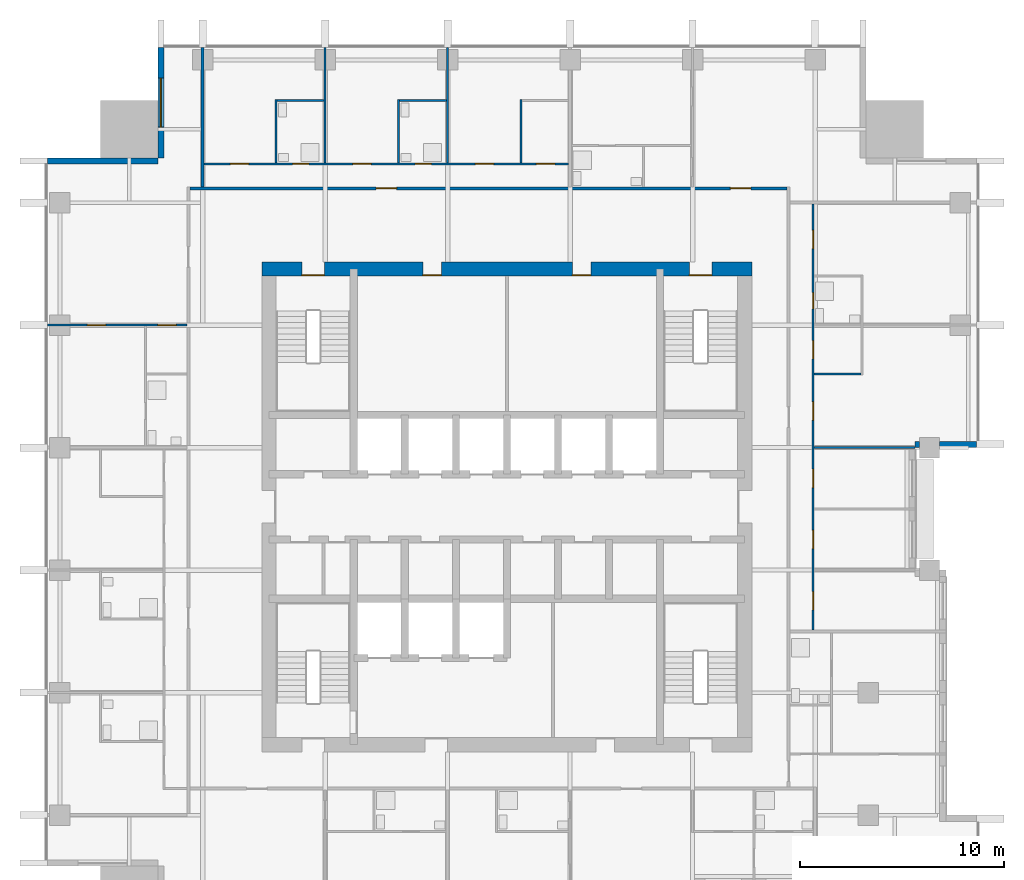
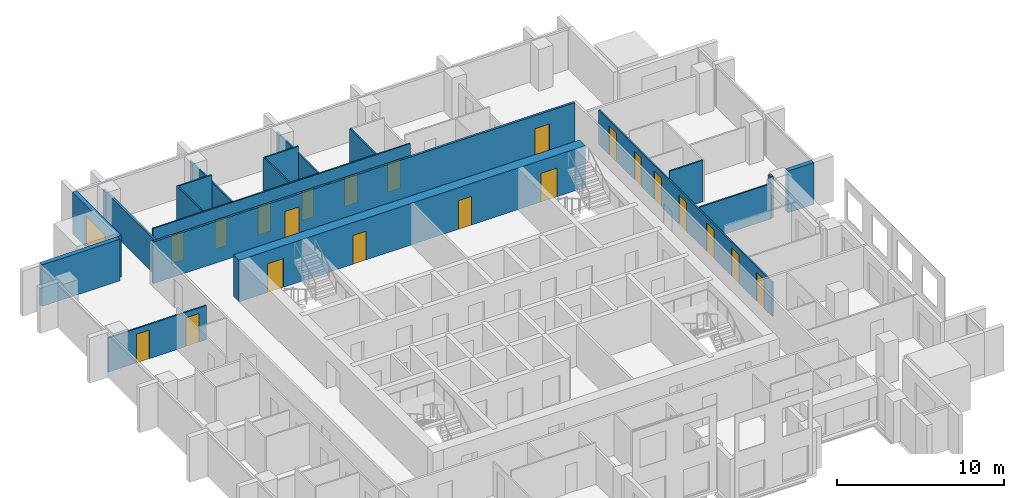
# One storey, part 7 of 11: 21 doors, 19 walls, 1 window, 22 openings.
"""IFC4 building model written with IfcOpenShell, lengths in metres."""

from ifc_helpers import new_model, si_unit, direction, frame, frame_2d, origin, place, context, subcontext, project, spatial, rectangle, extrude, material, layer, layer_set, type_object, element, fill, save


model = new_model("IFC4")

# Units and contexts
model_context = context("Model", 3, precision=1e-05, world=origin(), true_north=direction((0.0, 1.0)))
body_context = subcontext(model_context, "Body", "Model", "MODEL_VIEW")
ifc_project = project(units=[si_unit("LENGTHUNIT", "METRE"), si_unit("AREAUNIT", "SQUARE_METRE"), si_unit("VOLUMEUNIT", "CUBIC_METRE"), si_unit("PLANEANGLEUNIT", "RADIAN"), si_unit("MASSUNIT", "GRAM", prefix="KILO")], contexts=[model_context])

# Site, building, storey
site_placement = place(None, origin())
site = spatial("IfcSite", under=ifc_project, at=site_placement, CompositionType="ELEMENT")
building_placement = place(site_placement, origin())
building = spatial("IfcBuilding", under=site, at=building_placement, Name="Amberfall Residences", CompositionType="ELEMENT")
storey_placement = place(building_placement, frame((0.0, 0.0, 171.39990234375)))
storey = spatial("IfcBuildingStorey", under=building, at=storey_placement, Name="L46", CompositionType="ELEMENT", Elevation=171.39990234375)

# Walls
ifc_material_1 = material(Name="Pale stone cladding on insulated backing", Category="masonry")
ifc_layer_1 = layer(ifc_material_1, 0.300048828125)
ifc_layer_set_1 = layer_set([ifc_layer_1], Name="Bronze clad wall 300")
wall_type_1 = type_object("IfcWallType", Name="Bronze clad wall 300", PredefinedType="SOLIDWALL", material=ifc_layer_set_1)
wall_1_placement = place(storey_placement, frame((94.5, 48.550048828125, 0.0), z_axis=(0.0, 0.0, 1.0), x_axis=(1.0, 0.0, 0.0)))
element("IfcWall", 1, at=wall_1_placement, inside=storey, type_object=wall_type_1, Name="External wall L46 E", PredefinedType="SOLIDWALL", context=body_context, shape_type="SweptSolid", body=[
    extrude(rectangle(XDim=0.199951171875, YDim=0.300048828125, at=frame_2d((0.10009765625, 0.0))), origin(), (0.0, 0.0, 1.0), 3.050048828125),
])
wall_2_placement = place(storey_placement, frame((95.699951171875, 48.550048828125, 0.0), z_axis=(0.0, 0.0, 1.0), x_axis=(1.0, 0.0, 0.0)))
element("IfcWall", 2, at=wall_2_placement, inside=storey, type_object=wall_type_1, Name="External wall L46 E", PredefinedType="SOLIDWALL", context=body_context, shape_type="SweptSolid", body=[
    extrude(rectangle(XDim=1.800048828125, YDim=0.300048828125, at=frame_2d((0.89990234375, 0.0))), origin(), (0.0, 0.0, 1.0), 3.050048828125),
])

# Wall, opening, window
wall_3_placement = place(storey_placement, frame((57.550048828125, 68.0, 0.0), z_axis=(0.0, 0.0, 1.0), x_axis=(0.0, -1.0, 0.0)))
wall_3 = element("IfcWall", 3, at=wall_3_placement, inside=storey, type_object=wall_type_1, Name="External wall L46 NW", PredefinedType="SOLIDWALL", context=body_context, shape_type="SweptSolid", body=[
    extrude(rectangle(XDim=5.39990234375, YDim=0.300048828125, at=frame_2d((2.699951171875, 0.0))), origin(), (0.0, 0.0, 1.0), 3.050048828125),
])
opening_1_placement = place(wall_3_placement, frame((1.5, 0.0, 0.14990234375)))
opening_1 = element("IfcOpeningElement", 4, at=opening_1_placement, cuts=wall_3, Name="Opening WN5", PredefinedType="OPENING", context=body_context, shape_type="SweptSolid", body=[
    extrude(rectangle(XDim=2.39990234375, YDim=2.10009765625, at=frame_2d((1.199951171875, 1.050048828125))), frame((0.0, 0.159912109375, 0.0), z_axis=(0.0, -1.0, 0.0), x_axis=(1.0, 0.0, 0.0)), (0.0, 0.0, 1.0), 0.320068359375),
])
ifc_material_2 = material(Name="Bronze aluminium framed glazing", Category="aluminium")
window_type = type_object("IfcWindowType", Name="Glazed opening 2400 x 2100 bronze", PartitioningType="DOUBLE_PANEL_VERTICAL", PredefinedType="WINDOW", material=ifc_material_2)
window_placement = place(opening_1_placement, origin())
window = element("IfcWindow", 5, at=window_placement, inside=storey, type_object=window_type, Name="Window L46 NW", OverallHeight=2.10009765625, OverallWidth=2.39990234375, PartitioningType="DOUBLE_PANEL_VERTICAL", PredefinedType="WINDOW", context=body_context, shape_type="SweptSolid", body=[
    extrude(rectangle(XDim=2.39990234375, YDim=2.10009765625, at=frame_2d((1.199951171875, 1.050048828125))), frame((0.0, 0.030029296875, 0.0), z_axis=(0.0, -1.0, 0.0), x_axis=(1.0, 0.0, 0.0)), (0.0, 0.0, 1.0), 0.06005859375),
])
fill(opening_1, window)

# Wall
wall_4_placement = place(storey_placement, frame((57.39990234375, 62.449951171875, 0.0), z_axis=(0.0, 0.0, 1.0), x_axis=(-1.0, 0.0, 0.0)))
element("IfcWall", 6, at=wall_4_placement, inside=storey, type_object=wall_type_1, Name="External wall L46 NW", PredefinedType="SOLIDWALL", context=body_context, shape_type="SweptSolid", body=[
    extrude(rectangle(XDim=5.39990234375, YDim=0.300048828125, at=frame_2d((2.699951171875, 0.0))), origin(), (0.0, 0.0, 1.0), 3.050048828125),
])

# Wall, openings, doors
ifc_material_3 = material(Name="Concrete C60", Category="concrete")
ifc_layer_2 = layer(ifc_material_3, 0.699951171875)
ifc_layer_set_2 = layer_set([ifc_layer_2], Name="Core wall 700 C60")
wall_type_2 = type_object("IfcWallType", Name="Core wall 700 C60", PredefinedType="SHEAR", material=ifc_layer_set_2)
wall_5_placement = place(storey_placement, frame((62.5, 57.14990234375, 0.0), z_axis=(0.0, 0.0, 1.0), x_axis=(1.0, 0.0, 0.0)))
wall_5 = element("IfcWall", 7, at=wall_5_placement, inside=storey, type_object=wall_type_2, Name="Core wall RW5 L46 ON", PredefinedType="SHEAR", context=body_context, shape_type="SweptSolid", body=[
    extrude(rectangle(XDim=24.0, YDim=0.699951171875, at=frame_2d((12.0, 0.0))), origin(), (0.0, 0.0, 1.0), 3.050048828125),
])
opening_2_placement = place(wall_5_placement, frame((20.9375, 0.0, 0.0)))
opening_2 = element("IfcOpeningElement", 8, at=opening_2_placement, cuts=wall_5, Name="Opening SD1", PredefinedType="OPENING", context=body_context, shape_type="SweptSolid", body=[
    extrude(rectangle(XDim=1.10009765625, YDim=2.10009765625, at=frame_2d((0.550048828125, 1.050048828125))), frame((0.0, 0.35986328125, 0.0), z_axis=(0.0, -1.0, 0.0), x_axis=(1.0, 0.0, 0.0)), (0.0, 0.0, 1.0), 0.719970703125),
])
opening_3_placement = place(wall_5_placement, frame((1.96240234375, 0.0, 0.0)))
opening_3 = element("IfcOpeningElement", 9, at=opening_3_placement, cuts=wall_5, Name="Opening SD1", PredefinedType="OPENING", context=body_context, shape_type="SweptSolid", body=[
    extrude(rectangle(XDim=1.10009765625, YDim=2.10009765625, at=frame_2d((0.550048828125, 1.050048828125))), frame((0.0, 0.35986328125, 0.0), z_axis=(0.0, -1.0, 0.0), x_axis=(1.0, 0.0, 0.0)), (0.0, 0.0, 1.0), 0.719970703125),
])
opening_4_placement = place(wall_5_placement, frame((7.887451171875, 0.0, 0.0)))
opening_4 = element("IfcOpeningElement", 10, at=opening_4_placement, cuts=wall_5, Name="Opening RD1", PredefinedType="OPENING", context=body_context, shape_type="SweptSolid", body=[
    extrude(rectangle(XDim=0.89990234375, YDim=2.10009765625, at=frame_2d((0.449951171875, 1.050048828125))), frame((0.0, 0.35986328125, 0.0), z_axis=(0.0, -1.0, 0.0), x_axis=(1.0, 0.0, 0.0)), (0.0, 0.0, 1.0), 0.719970703125),
])
opening_5_placement = place(wall_5_placement, frame((15.21240234375, 0.0, 0.0)))
opening_5 = element("IfcOpeningElement", 11, at=opening_5_placement, cuts=wall_5, Name="Opening RD1", PredefinedType="OPENING", context=body_context, shape_type="SweptSolid", body=[
    extrude(rectangle(XDim=0.89990234375, YDim=2.10009765625, at=frame_2d((0.449951171875, 1.050048828125))), frame((0.0, 0.35986328125, 0.0), z_axis=(0.0, -1.0, 0.0), x_axis=(1.0, 0.0, 0.0)), (0.0, 0.0, 1.0), 0.719970703125),
])
ifc_material_4 = material(Name="Steel fire door set", Category="steel")
door_type_1 = type_object("IfcDoorType", Name="Service room door 900 x 2100", OperationType="SINGLE_SWING_LEFT", PredefinedType="DOOR", material=ifc_material_4)
door_1_placement = place(opening_4_placement, origin())
door_1 = element("IfcDoor", 12, at=door_1_placement, inside=storey, type_object=door_type_1, Name="RD1 L46", OperationType="SINGLE_SWING_RIGHT", OverallHeight=2.10009765625, OverallWidth=0.89990234375, PredefinedType="DOOR", context=body_context, shape_type="SweptSolid", body=[
    extrude(rectangle(XDim=0.89990234375, YDim=2.10009765625, at=frame_2d((0.449951171875, 1.050048828125))), frame((0.0, -0.28759765625, 0.0), z_axis=(0.0, -1.0, 0.0), x_axis=(1.0, 0.0, 0.0)), (0.0, 0.0, 1.0), 0.050048828125),
])
fill(opening_4, door_1)
door_2_placement = place(opening_5_placement, origin())
door_2 = element("IfcDoor", 13, at=door_2_placement, inside=storey, type_object=door_type_1, Name="RD1 L46", OperationType="SINGLE_SWING_RIGHT", OverallHeight=2.10009765625, OverallWidth=0.89990234375, PredefinedType="DOOR", context=body_context, shape_type="SweptSolid", body=[
    extrude(rectangle(XDim=0.89990234375, YDim=2.10009765625, at=frame_2d((0.449951171875, 1.050048828125))), frame((0.0, -0.28759765625, 0.0), z_axis=(0.0, -1.0, 0.0), x_axis=(1.0, 0.0, 0.0)), (0.0, 0.0, 1.0), 0.050048828125),
])
fill(opening_5, door_2)
door_type_2 = type_object("IfcDoorType", Name="Stair door 1100 x 2100", OperationType="SINGLE_SWING_LEFT", PredefinedType="DOOR", material=ifc_material_4)
door_3_placement = place(opening_2_placement, origin())
door_3 = element("IfcDoor", 14, at=door_3_placement, inside=storey, type_object=door_type_2, Name="SD1 L46", OperationType="SINGLE_SWING_RIGHT", OverallHeight=2.10009765625, OverallWidth=1.10009765625, PredefinedType="DOOR", context=body_context, shape_type="SweptSolid", body=[
    extrude(rectangle(XDim=1.10009765625, YDim=2.10009765625, at=frame_2d((0.550048828125, 1.050048828125))), frame((0.0, -0.28759765625, 0.0), z_axis=(0.0, -1.0, 0.0), x_axis=(1.0, 0.0, 0.0)), (0.0, 0.0, 1.0), 0.050048828125),
])
fill(opening_2, door_3)
door_4_placement = place(opening_3_placement, origin())
door_4 = element("IfcDoor", 15, at=door_4_placement, inside=storey, type_object=door_type_2, Name="SD1 L46", OperationType="SINGLE_SWING_LEFT", OverallHeight=2.10009765625, OverallWidth=1.10009765625, PredefinedType="DOOR", context=body_context, shape_type="SweptSolid", body=[
    extrude(rectangle(XDim=1.10009765625, YDim=2.10009765625, at=frame_2d((0.550048828125, 1.050048828125))), frame((0.0, -0.28759765625, 0.0), z_axis=(0.0, -1.0, 0.0), x_axis=(1.0, 0.0, 0.0)), (0.0, 0.0, 1.0), 0.050048828125),
])
fill(opening_3, door_4)

# Walls
ifc_material_5 = material(Name="Gypsum board on metal stud")
ifc_layer_3 = layer(ifc_material_5, 0.10009765625)
ifc_layer_set_3 = layer_set([ifc_layer_3], Name="Flat partition 100")
wall_type_3 = type_object("IfcWallType", Name="Flat partition 100", PredefinedType="PARTITIONING", material=ifc_layer_set_3)
wall_6_placement = place(storey_placement, frame((63.199951171875, 62.35009765625, 0.0), z_axis=(0.0, 0.0, 1.0), x_axis=(0.0, 1.0, 0.0)))
element("IfcWall", 16, at=wall_6_placement, inside=storey, type_object=wall_type_3, Name="Partition 006", PredefinedType="PARTITIONING", context=body_context, shape_type="SweptSolid", body=[
    extrude(rectangle(XDim=3.099853515625, YDim=0.10009765625, at=frame_2d((1.5498046875, 0.0))), origin(), (0.0, 0.0, 1.0), 3.050048828125),
])
wall_7_placement = place(storey_placement, frame((65.60009765625, 62.35009765625, 0.0), z_axis=(0.0, 0.0, 1.0), x_axis=(0.0, 1.0, 0.0)))
element("IfcWall", 17, at=wall_7_placement, inside=storey, type_object=wall_type_3, Name="Partition 008", PredefinedType="PARTITIONING", context=body_context, shape_type="SweptSolid", body=[
    extrude(rectangle(XDim=5.64990234375, YDim=0.10009765625, at=frame_2d((2.824951171875, 0.0))), origin(), (0.0, 0.0, 1.0), 2.51611328125),
])
wall_8_placement = place(storey_placement, frame((69.199951171875, 62.35009765625, 0.0), z_axis=(0.0, 0.0, 1.0), x_axis=(0.0, 1.0, 0.0)))
element("IfcWall", 18, at=wall_8_placement, inside=storey, type_object=wall_type_3, Name="Partition 010", PredefinedType="PARTITIONING", context=body_context, shape_type="SweptSolid", body=[
    extrude(rectangle(XDim=3.099853515625, YDim=0.10009765625, at=frame_2d((1.5498046875, 0.0))), origin(), (0.0, 0.0, 1.0), 3.050048828125),
])
wall_9_placement = place(storey_placement, frame((71.60009765625, 62.35009765625, 0.0), z_axis=(0.0, 0.0, 1.0), x_axis=(0.0, 1.0, 0.0)))
element("IfcWall", 19, at=wall_9_placement, inside=storey, type_object=wall_type_3, Name="Partition 011", PredefinedType="PARTITIONING", context=body_context, shape_type="SweptSolid", body=[
    extrude(rectangle(XDim=5.64990234375, YDim=0.10009765625, at=frame_2d((2.824951171875, 0.0))), origin(), (0.0, 0.0, 1.0), 2.51611328125),
])
wall_10_placement = place(storey_placement, frame((75.199951171875, 62.35009765625, 0.0), z_axis=(0.0, 0.0, 1.0), x_axis=(0.0, 1.0, 0.0)))
element("IfcWall", 20, at=wall_10_placement, inside=storey, type_object=wall_type_3, Name="Partition 013", PredefinedType="PARTITIONING", context=body_context, shape_type="SweptSolid", body=[
    extrude(rectangle(XDim=3.099853515625, YDim=0.10009765625, at=frame_2d((1.5498046875, 0.0))), origin(), (0.0, 0.0, 1.0), 3.050048828125),
])

# Wall, openings, doors
wall_11_placement = place(storey_placement, frame((89.5, 60.324951171875, 0.0), z_axis=(0.0, 0.0, 1.0), x_axis=(0.0, -1.0, 0.0)))
wall_11 = element("IfcWall", 21, at=wall_11_placement, inside=storey, type_object=wall_type_3, Name="Partition 019", PredefinedType="PARTITIONING", context=body_context, shape_type="SweptSolid", body=[
    extrude(rectangle(XDim=20.849853515625, YDim=0.10009765625, at=frame_2d((10.4248046875, 0.0))), origin(), (0.0, 0.0, 1.0), 2.510009765625),
])
opening_6_placement = place(wall_11_placement, frame((9.675048828125, 0.0, 0.0)))
opening_6 = element("IfcOpeningElement", 22, at=opening_6_placement, cuts=wall_11, Name="Opening D41", PredefinedType="OPENING", context=body_context, shape_type="SweptSolid", body=[
    extrude(rectangle(XDim=0.89990234375, YDim=2.10009765625, at=frame_2d((0.449951171875, 1.050048828125))), frame((0.0, 0.06005859375, 0.0), z_axis=(0.0, -1.0, 0.0), x_axis=(1.0, 0.0, 0.0)), (0.0, 0.0, 1.0), 0.1201171875),
])
opening_7_placement = place(wall_11_placement, frame((6.675048828125, 0.0, 0.0)))
opening_7 = element("IfcOpeningElement", 23, at=opening_7_placement, cuts=wall_11, Name="Opening D41", PredefinedType="OPENING", context=body_context, shape_type="SweptSolid", body=[
    extrude(rectangle(XDim=0.89990234375, YDim=2.10009765625, at=frame_2d((0.449951171875, 1.050048828125))), frame((0.0, 0.06005859375, 0.0), z_axis=(0.0, -1.0, 0.0), x_axis=(1.0, 0.0, 0.0)), (0.0, 0.0, 1.0), 0.1201171875),
])
opening_8_placement = place(wall_11_placement, frame((18.97509765625, 0.0, 0.0)))
opening_8 = element("IfcOpeningElement", 24, at=opening_8_placement, cuts=wall_11, Name="Opening D41", PredefinedType="OPENING", context=body_context, shape_type="SweptSolid", body=[
    extrude(rectangle(XDim=0.89990234375, YDim=2.10009765625, at=frame_2d((0.449951171875, 1.050048828125))), frame((0.0, 0.06005859375, 0.0), z_axis=(0.0, -1.0, 0.0), x_axis=(1.0, 0.0, 0.0)), (0.0, 0.0, 1.0), 0.1201171875),
])
opening_9_placement = place(wall_11_placement, frame((15.97509765625, 0.0, 0.0)))
opening_9 = element("IfcOpeningElement", 25, at=opening_9_placement, cuts=wall_11, Name="Opening D41", PredefinedType="OPENING", context=body_context, shape_type="SweptSolid", body=[
    extrude(rectangle(XDim=0.89990234375, YDim=2.10009765625, at=frame_2d((0.449951171875, 1.050048828125))), frame((0.0, 0.06005859375, 0.0), z_axis=(0.0, -1.0, 0.0), x_axis=(1.0, 0.0, 0.0)), (0.0, 0.0, 1.0), 0.1201171875),
])
opening_10_placement = place(wall_11_placement, frame((12.97509765625, 0.0, 0.0)))
opening_10 = element("IfcOpeningElement", 26, at=opening_10_placement, cuts=wall_11, Name="Opening D41", PredefinedType="OPENING", context=body_context, shape_type="SweptSolid", body=[
    extrude(rectangle(XDim=0.89990234375, YDim=2.10009765625, at=frame_2d((0.449951171875, 1.050048828125))), frame((0.0, 0.06005859375, 0.0), z_axis=(0.0, -1.0, 0.0), x_axis=(1.0, 0.0, 0.0)), (0.0, 0.0, 1.0), 0.1201171875),
])
opening_11_placement = place(wall_11_placement, frame((1.27490234375, 0.0, 0.0)))
opening_11 = element("IfcOpeningElement", 27, at=opening_11_placement, cuts=wall_11, Name="Opening D41", PredefinedType="OPENING", context=body_context, shape_type="SweptSolid", body=[
    extrude(rectangle(XDim=0.89990234375, YDim=2.10009765625, at=frame_2d((0.449951171875, 1.050048828125))), frame((0.0, 0.06005859375, 0.0), z_axis=(0.0, -1.0, 0.0), x_axis=(1.0, 0.0, 0.0)), (0.0, 0.0, 1.0), 0.1201171875),
])
opening_12_placement = place(wall_11_placement, frame((4.324951171875, 0.0, 0.0)))
opening_12 = element("IfcOpeningElement", 28, at=opening_12_placement, cuts=wall_11, Name="Opening D42", PredefinedType="OPENING", context=body_context, shape_type="SweptSolid", body=[
    extrude(rectangle(XDim=0.800048828125, YDim=2.10009765625, at=frame_2d((0.39990234375, 1.050048828125))), frame((0.0, 0.06005859375, 0.0), z_axis=(0.0, -1.0, 0.0), x_axis=(1.0, 0.0, 0.0)), (0.0, 0.0, 1.0), 0.1201171875),
])
ifc_material_6 = material(Name="Timber", Category="wood")
door_type_3 = type_object("IfcDoorType", Name="Bathroom door 800 x 2100", OperationType="SINGLE_SWING_LEFT", PredefinedType="DOOR", material=ifc_material_6)
door_5_placement = place(opening_12_placement, origin())
door_5 = element("IfcDoor", 29, at=door_5_placement, inside=storey, type_object=door_type_3, Name="Door 4604 bath1", OperationType="SINGLE_SWING_LEFT", OverallHeight=2.10009765625, OverallWidth=0.800048828125, PredefinedType="DOOR", context=body_context, shape_type="SweptSolid", body=[
    extrude(rectangle(XDim=0.800048828125, YDim=2.10009765625, at=frame_2d((0.39990234375, 1.050048828125))), frame((0.0, 0.02490234375, 0.0), z_axis=(0.0, -1.0, 0.0), x_axis=(1.0, 0.0, 0.0)), (0.0, 0.0, 1.0), 0.050048828125),
])
fill(opening_12, door_5)
door_type_4 = type_object("IfcDoorType", Name="Internal door 900 x 2100", OperationType="SINGLE_SWING_LEFT", PredefinedType="DOOR", material=ifc_material_6)
door_6_placement = place(opening_6_placement, origin())
door_6 = element("IfcDoor", 30, at=door_6_placement, inside=storey, type_object=door_type_4, Name="Door 4604 living", OperationType="SINGLE_SWING_LEFT", OverallHeight=2.10009765625, OverallWidth=0.89990234375, PredefinedType="DOOR", context=body_context, shape_type="SweptSolid", body=[
    extrude(rectangle(XDim=0.89990234375, YDim=2.10009765625, at=frame_2d((0.449951171875, 1.050048828125))), frame((0.0, 0.02490234375, 0.0), z_axis=(0.0, -1.0, 0.0), x_axis=(1.0, 0.0, 0.0)), (0.0, 0.0, 1.0), 0.050048828125),
])
fill(opening_6, door_6)
door_7_placement = place(opening_7_placement, origin())
door_7 = element("IfcDoor", 31, at=door_7_placement, inside=storey, type_object=door_type_4, Name="Door 4604 kitchen", OperationType="SINGLE_SWING_LEFT", OverallHeight=2.10009765625, OverallWidth=0.89990234375, PredefinedType="DOOR", context=body_context, shape_type="SweptSolid", body=[
    extrude(rectangle(XDim=0.89990234375, YDim=2.10009765625, at=frame_2d((0.449951171875, 1.050048828125))), frame((0.0, 0.02490234375, 0.0), z_axis=(0.0, -1.0, 0.0), x_axis=(1.0, 0.0, 0.0)), (0.0, 0.0, 1.0), 0.050048828125),
])
fill(opening_7, door_7)
door_8_placement = place(opening_8_placement, origin())
door_8 = element("IfcDoor", 32, at=door_8_placement, inside=storey, type_object=door_type_4, Name="Door 4604 bedroom1", OperationType="SINGLE_SWING_LEFT", OverallHeight=2.10009765625, OverallWidth=0.89990234375, PredefinedType="DOOR", context=body_context, shape_type="SweptSolid", body=[
    extrude(rectangle(XDim=0.89990234375, YDim=2.10009765625, at=frame_2d((0.449951171875, 1.050048828125))), frame((0.0, 0.02490234375, 0.0), z_axis=(0.0, -1.0, 0.0), x_axis=(1.0, 0.0, 0.0)), (0.0, 0.0, 1.0), 0.050048828125),
])
fill(opening_8, door_8)
door_9_placement = place(opening_9_placement, origin())
door_9 = element("IfcDoor", 33, at=door_9_placement, inside=storey, type_object=door_type_4, Name="Door 4604 bedroom2", OperationType="SINGLE_SWING_LEFT", OverallHeight=2.10009765625, OverallWidth=0.89990234375, PredefinedType="DOOR", context=body_context, shape_type="SweptSolid", body=[
    extrude(rectangle(XDim=0.89990234375, YDim=2.10009765625, at=frame_2d((0.449951171875, 1.050048828125))), frame((0.0, 0.02490234375, 0.0), z_axis=(0.0, -1.0, 0.0), x_axis=(1.0, 0.0, 0.0)), (0.0, 0.0, 1.0), 0.050048828125),
])
fill(opening_9, door_9)
door_10_placement = place(opening_10_placement, origin())
door_10 = element("IfcDoor", 34, at=door_10_placement, inside=storey, type_object=door_type_4, Name="Door 4604 bedroom3", OperationType="SINGLE_SWING_LEFT", OverallHeight=2.10009765625, OverallWidth=0.89990234375, PredefinedType="DOOR", context=body_context, shape_type="SweptSolid", body=[
    extrude(rectangle(XDim=0.89990234375, YDim=2.10009765625, at=frame_2d((0.449951171875, 1.050048828125))), frame((0.0, 0.02490234375, 0.0), z_axis=(0.0, -1.0, 0.0), x_axis=(1.0, 0.0, 0.0)), (0.0, 0.0, 1.0), 0.050048828125),
])
fill(opening_10, door_10)
door_11_placement = place(opening_11_placement, origin())
door_11 = element("IfcDoor", 35, at=door_11_placement, inside=storey, type_object=door_type_4, Name="Door 4604 bedroom4", OperationType="SINGLE_SWING_LEFT", OverallHeight=2.10009765625, OverallWidth=0.89990234375, PredefinedType="DOOR", context=body_context, shape_type="SweptSolid", body=[
    extrude(rectangle(XDim=0.89990234375, YDim=2.10009765625, at=frame_2d((0.449951171875, 1.050048828125))), frame((0.0, 0.02490234375, 0.0), z_axis=(0.0, -1.0, 0.0), x_axis=(1.0, 0.0, 0.0)), (0.0, 0.0, 1.0), 0.050048828125),
])
fill(opening_11, door_11)

# Walls
for number, where, z_axis, x_axis, name in (
    (36, (63.25, 65.39990234375, 0.0), (0.0, 0.0, 1.0), (1.0, 0.0, 0.0), "Partition 022"),
    (37, (69.25, 65.39990234375, 0.0), (0.0, 0.0, 1.0), (1.0, 0.0, 0.0), "Partition 023"),
):
    element("IfcWall", number, at=place(storey_placement, frame(where, z_axis=z_axis, x_axis=x_axis)), inside=storey, type_object=wall_type_3, Name=name, PredefinedType="PARTITIONING", context=body_context, shape_type="SweptSolid", body=[
        extrude(rectangle(XDim=2.300048828125, YDim=0.10009765625, at=frame_2d((1.14990234375, 0.0))), origin(), (0.0, 0.0, 1.0), 3.050048828125),
    ])

# Wall, openings, doors
wall_12_placement = place(storey_placement, frame((59.675048828125, 62.300048828125, 0.0), z_axis=(0.0, 0.0, 1.0), x_axis=(1.0, 0.0, 0.0)))
wall_12 = element("IfcWall", 38, at=wall_12_placement, inside=storey, type_object=wall_type_3, Name="Partition 026", PredefinedType="PARTITIONING", context=body_context, shape_type="SweptSolid", body=[
    extrude(rectangle(XDim=17.849853515625, YDim=0.10009765625, at=frame_2d((8.9248046875, 0.0))), origin(), (0.0, 0.0, 1.0), 3.050048828125),
])
opening_13_placement = place(wall_12_placement, frame((13.27490234375, 0.0, 0.0)))
opening_13 = element("IfcOpeningElement", 39, at=opening_13_placement, cuts=wall_12, Name="Opening D41", PredefinedType="OPENING", context=body_context, shape_type="SweptSolid", body=[
    extrude(rectangle(XDim=0.89990234375, YDim=2.10009765625, at=frame_2d((0.449951171875, 1.050048828125))), frame((0.0, 0.06005859375, 0.0), z_axis=(0.0, -1.0, 0.0), x_axis=(1.0, 0.0, 0.0)), (0.0, 0.0, 1.0), 0.1201171875),
])
opening_14_placement = place(wall_12_placement, frame((16.27490234375, 0.0, 0.0)))
opening_14 = element("IfcOpeningElement", 40, at=opening_14_placement, cuts=wall_12, Name="Opening D41", PredefinedType="OPENING", context=body_context, shape_type="SweptSolid", body=[
    extrude(rectangle(XDim=0.89990234375, YDim=2.10009765625, at=frame_2d((0.449951171875, 1.050048828125))), frame((0.0, 0.06005859375, 0.0), z_axis=(0.0, -1.0, 0.0), x_axis=(1.0, 0.0, 0.0)), (0.0, 0.0, 1.0), 0.1201171875),
])
opening_15_placement = place(wall_12_placement, frame((1.27490234375, 0.0, 0.0)))
opening_15 = element("IfcOpeningElement", 41, at=opening_15_placement, cuts=wall_12, Name="Opening D41", PredefinedType="OPENING", context=body_context, shape_type="SweptSolid", body=[
    extrude(rectangle(XDim=0.89990234375, YDim=2.10009765625, at=frame_2d((0.449951171875, 1.050048828125))), frame((0.0, 0.06005859375, 0.0), z_axis=(0.0, -1.0, 0.0), x_axis=(1.0, 0.0, 0.0)), (0.0, 0.0, 1.0), 0.1201171875),
])
opening_16_placement = place(wall_12_placement, frame((7.27490234375, 0.0, 0.0)))
opening_16 = element("IfcOpeningElement", 42, at=opening_16_placement, cuts=wall_12, Name="Opening D41", PredefinedType="OPENING", context=body_context, shape_type="SweptSolid", body=[
    extrude(rectangle(XDim=0.89990234375, YDim=2.10009765625, at=frame_2d((0.449951171875, 1.050048828125))), frame((0.0, 0.06005859375, 0.0), z_axis=(0.0, -1.0, 0.0), x_axis=(1.0, 0.0, 0.0)), (0.0, 0.0, 1.0), 0.1201171875),
])
opening_17_placement = place(wall_12_placement, frame((4.324951171875, 0.0, 0.0)))
opening_17 = element("IfcOpeningElement", 43, at=opening_17_placement, cuts=wall_12, Name="Opening D42", PredefinedType="OPENING", context=body_context, shape_type="SweptSolid", body=[
    extrude(rectangle(XDim=0.800048828125, YDim=2.10009765625, at=frame_2d((0.39990234375, 1.050048828125))), frame((0.0, 0.06005859375, 0.0), z_axis=(0.0, -1.0, 0.0), x_axis=(1.0, 0.0, 0.0)), (0.0, 0.0, 1.0), 0.1201171875),
])
opening_18_placement = place(wall_12_placement, frame((10.324951171875, 0.0, 0.0)))
opening_18 = element("IfcOpeningElement", 44, at=opening_18_placement, cuts=wall_12, Name="Opening D42", PredefinedType="OPENING", context=body_context, shape_type="SweptSolid", body=[
    extrude(rectangle(XDim=0.800048828125, YDim=2.10009765625, at=frame_2d((0.39990234375, 1.050048828125))), frame((0.0, 0.06005859375, 0.0), z_axis=(0.0, -1.0, 0.0), x_axis=(1.0, 0.0, 0.0)), (0.0, 0.0, 1.0), 0.1201171875),
])
door_12_placement = place(opening_17_placement, origin())
door_12 = element("IfcDoor", 45, at=door_12_placement, inside=storey, type_object=door_type_3, Name="Door 4605 bath1", OperationType="SINGLE_SWING_LEFT", OverallHeight=2.10009765625, OverallWidth=0.800048828125, PredefinedType="DOOR", context=body_context, shape_type="SweptSolid", body=[
    extrude(rectangle(XDim=0.800048828125, YDim=2.10009765625, at=frame_2d((0.39990234375, 1.050048828125))), frame((0.0, 0.02490234375, 0.0), z_axis=(0.0, -1.0, 0.0), x_axis=(1.0, 0.0, 0.0)), (0.0, 0.0, 1.0), 0.050048828125),
])
fill(opening_17, door_12)
door_13_placement = place(opening_18_placement, origin())
door_13 = element("IfcDoor", 46, at=door_13_placement, inside=storey, type_object=door_type_3, Name="Door 4605 bath2", OperationType="SINGLE_SWING_LEFT", OverallHeight=2.10009765625, OverallWidth=0.800048828125, PredefinedType="DOOR", context=body_context, shape_type="SweptSolid", body=[
    extrude(rectangle(XDim=0.800048828125, YDim=2.10009765625, at=frame_2d((0.39990234375, 1.050048828125))), frame((0.0, 0.02490234375, 0.0), z_axis=(0.0, -1.0, 0.0), x_axis=(1.0, 0.0, 0.0)), (0.0, 0.0, 1.0), 0.050048828125),
])
fill(opening_18, door_13)
door_14_placement = place(opening_13_placement, origin())
door_14 = element("IfcDoor", 47, at=door_14_placement, inside=storey, type_object=door_type_4, Name="Door 4605 living", OperationType="SINGLE_SWING_LEFT", OverallHeight=2.10009765625, OverallWidth=0.89990234375, PredefinedType="DOOR", context=body_context, shape_type="SweptSolid", body=[
    extrude(rectangle(XDim=0.89990234375, YDim=2.10009765625, at=frame_2d((0.449951171875, 1.050048828125))), frame((0.0, 0.02490234375, 0.0), z_axis=(0.0, -1.0, 0.0), x_axis=(1.0, 0.0, 0.0)), (0.0, 0.0, 1.0), 0.050048828125),
])
fill(opening_13, door_14)
door_15_placement = place(opening_14_placement, origin())
door_15 = element("IfcDoor", 48, at=door_15_placement, inside=storey, type_object=door_type_4, Name="Door 4605 kitchen", OperationType="SINGLE_SWING_LEFT", OverallHeight=2.10009765625, OverallWidth=0.89990234375, PredefinedType="DOOR", context=body_context, shape_type="SweptSolid", body=[
    extrude(rectangle(XDim=0.89990234375, YDim=2.10009765625, at=frame_2d((0.449951171875, 1.050048828125))), frame((0.0, 0.02490234375, 0.0), z_axis=(0.0, -1.0, 0.0), x_axis=(1.0, 0.0, 0.0)), (0.0, 0.0, 1.0), 0.050048828125),
])
fill(opening_14, door_15)
door_16_placement = place(opening_15_placement, origin())
door_16 = element("IfcDoor", 49, at=door_16_placement, inside=storey, type_object=door_type_4, Name="Door 4605 bedroom1", OperationType="SINGLE_SWING_LEFT", OverallHeight=2.10009765625, OverallWidth=0.89990234375, PredefinedType="DOOR", context=body_context, shape_type="SweptSolid", body=[
    extrude(rectangle(XDim=0.89990234375, YDim=2.10009765625, at=frame_2d((0.449951171875, 1.050048828125))), frame((0.0, 0.02490234375, 0.0), z_axis=(0.0, -1.0, 0.0), x_axis=(1.0, 0.0, 0.0)), (0.0, 0.0, 1.0), 0.050048828125),
])
fill(opening_15, door_16)
door_17_placement = place(opening_16_placement, origin())
door_17 = element("IfcDoor", 50, at=door_17_placement, inside=storey, type_object=door_type_4, Name="Door 4605 bedroom2", OperationType="SINGLE_SWING_LEFT", OverallHeight=2.10009765625, OverallWidth=0.89990234375, PredefinedType="DOOR", context=body_context, shape_type="SweptSolid", body=[
    extrude(rectangle(XDim=0.89990234375, YDim=2.10009765625, at=frame_2d((0.449951171875, 1.050048828125))), frame((0.0, 0.02490234375, 0.0), z_axis=(0.0, -1.0, 0.0), x_axis=(1.0, 0.0, 0.0)), (0.0, 0.0, 1.0), 0.050048828125),
])
fill(opening_16, door_17)

wall_13_placement = place(storey_placement, frame((58.824951171875, 54.39990234375, 0.0), z_axis=(0.0, 0.0, 1.0), x_axis=(-1.0, 0.0, 0.0)))
wall_13 = element("IfcWall", 51, at=wall_13_placement, inside=storey, type_object=wall_type_3, Name="Partition 028", PredefinedType="PARTITIONING", context=body_context, shape_type="SweptSolid", body=[
    extrude(rectangle(XDim=6.824951171875, YDim=0.10009765625, at=frame_2d((3.41259765625, 0.0))), origin(), (0.0, 0.0, 1.0), 2.51611328125),
])
opening_19_placement = place(wall_13_placement, frame((0.52490234375, 0.0, 0.0)))
opening_19 = element("IfcOpeningElement", 52, at=opening_19_placement, cuts=wall_13, Name="Opening D41", PredefinedType="OPENING", context=body_context, shape_type="SweptSolid", body=[
    extrude(rectangle(XDim=0.89990234375, YDim=2.10009765625, at=frame_2d((0.449951171875, 1.050048828125))), frame((0.0, 0.06005859375, 0.0), z_axis=(0.0, -1.0, 0.0), x_axis=(1.0, 0.0, 0.0)), (0.0, 0.0, 1.0), 0.1201171875),
])
opening_20_placement = place(wall_13_placement, frame((3.97509765625, 0.0, 0.0)))
opening_20 = element("IfcOpeningElement", 53, at=opening_20_placement, cuts=wall_13, Name="Opening D41", PredefinedType="OPENING", context=body_context, shape_type="SweptSolid", body=[
    extrude(rectangle(XDim=0.89990234375, YDim=2.10009765625, at=frame_2d((0.449951171875, 1.050048828125))), frame((0.0, 0.06005859375, 0.0), z_axis=(0.0, -1.0, 0.0), x_axis=(1.0, 0.0, 0.0)), (0.0, 0.0, 1.0), 0.1201171875),
])
door_18_placement = place(opening_19_placement, origin())
door_18 = element("IfcDoor", 54, at=door_18_placement, inside=storey, type_object=door_type_4, Name="Door 4608 kitchen", OperationType="SINGLE_SWING_LEFT", OverallHeight=2.10009765625, OverallWidth=0.89990234375, PredefinedType="DOOR", context=body_context, shape_type="SweptSolid", body=[
    extrude(rectangle(XDim=0.89990234375, YDim=2.10009765625, at=frame_2d((0.449951171875, 1.050048828125))), frame((0.0, 0.02490234375, 0.0), z_axis=(0.0, -1.0, 0.0), x_axis=(1.0, 0.0, 0.0)), (0.0, 0.0, 1.0), 0.050048828125),
])
fill(opening_19, door_18)
door_19_placement = place(opening_20_placement, origin())
door_19 = element("IfcDoor", 55, at=door_19_placement, inside=storey, type_object=door_type_4, Name="Door 4608 bedroom1", OperationType="SINGLE_SWING_LEFT", OverallHeight=2.10009765625, OverallWidth=0.89990234375, PredefinedType="DOOR", context=body_context, shape_type="SweptSolid", body=[
    extrude(rectangle(XDim=0.89990234375, YDim=2.10009765625, at=frame_2d((0.449951171875, 1.050048828125))), frame((0.0, 0.02490234375, 0.0), z_axis=(0.0, -1.0, 0.0), x_axis=(1.0, 0.0, 0.0)), (0.0, 0.0, 1.0), 0.050048828125),
])
fill(opening_20, door_19)

# Walls
wall_14_placement = place(storey_placement, frame((89.550048828125, 52.0, 0.0), z_axis=(0.0, 0.0, 1.0), x_axis=(1.0, 0.0, 0.0)))
element("IfcWall", 56, at=wall_14_placement, inside=storey, type_object=wall_type_3, Name="Partition 031", PredefinedType="PARTITIONING", context=body_context, shape_type="SweptSolid", body=[
    extrude(rectangle(XDim=2.300048828125, YDim=0.10009765625, at=frame_2d((1.14990234375, 0.0))), origin(), (0.0, 0.0, 1.0), 3.050048828125),
])
wall_15_placement = place(storey_placement, frame((89.550048828125, 48.39990234375, 0.0), z_axis=(0.0, 0.0, 1.0), x_axis=(1.0, 0.0, 0.0)))
element("IfcWall", 57, at=wall_15_placement, inside=storey, type_object=wall_type_3, Name="Partition 032", PredefinedType="PARTITIONING", context=body_context, shape_type="SweptSolid", body=[
    extrude(rectangle(XDim=4.949951171875, YDim=0.10009765625, at=frame_2d((2.47509765625, 0.0))), origin(), (0.0, 0.0, 1.0), 2.590087890625),
])
ifc_material_7 = material(Name="Blockwork, plastered", Category="masonry")
ifc_layer_4 = layer(ifc_material_7, 0.14990234375)
ifc_layer_set_4 = layer_set([ifc_layer_4], Name="Flat separating wall 150")
wall_type_4 = type_object("IfcWallType", Name="Flat separating wall 150", PredefinedType="PARTITIONING", material=ifc_layer_set_4)
wall_16_placement = place(storey_placement, frame((59.60009765625, 61.175048828125, 0.0), z_axis=(0.0, 0.0, 1.0), x_axis=(0.0, 1.0, 0.0)))
element("IfcWall", 58, at=wall_16_placement, inside=storey, type_object=wall_type_4, Name="Separating wall 047", PredefinedType="PARTITIONING", context=body_context, shape_type="SweptSolid", body=[
    extrude(rectangle(XDim=6.824951171875, YDim=0.14990234375, at=frame_2d((3.41259765625, 0.0))), origin(), (0.0, 0.0, 1.0), 2.510009765625),
])

# Wall, openings, doors
wall_17_placement = place(storey_placement, frame((58.97509765625, 61.10009765625, 0.0), z_axis=(0.0, 0.0, 1.0), x_axis=(1.0, 0.0, 0.0)))
wall_17 = element("IfcWall", 59, at=wall_17_placement, inside=storey, type_object=wall_type_4, Name="Separating wall 052", PredefinedType="PARTITIONING", context=body_context, shape_type="SweptSolid", body=[
    extrude(rectangle(XDim=29.25, YDim=0.14990234375, at=frame_2d((14.625, 0.0))), origin(), (0.0, 0.0, 1.0), 3.050048828125),
])
opening_21_placement = place(wall_17_placement, frame((9.125, 0.0, 0.0)))
opening_21 = element("IfcOpeningElement", 60, at=opening_21_placement, cuts=wall_17, Name="Opening D40", PredefinedType="OPENING", context=body_context, shape_type="SweptSolid", body=[
    extrude(rectangle(XDim=1.0, YDim=2.10009765625, at=frame_2d((0.5, 1.050048828125))), frame((0.0, 0.0849609375, 0.0), z_axis=(0.0, -1.0, 0.0), x_axis=(1.0, 0.0, 0.0)), (0.0, 0.0, 1.0), 0.169921875),
])
opening_22_placement = place(wall_17_placement, frame((26.47509765625, 0.0, 0.0)))
opening_22 = element("IfcOpeningElement", 61, at=opening_22_placement, cuts=wall_17, Name="Opening D40", PredefinedType="OPENING", context=body_context, shape_type="SweptSolid", body=[
    extrude(rectangle(XDim=1.0, YDim=2.10009765625, at=frame_2d((0.5, 1.050048828125))), frame((0.0, 0.0849609375, 0.0), z_axis=(0.0, -1.0, 0.0), x_axis=(1.0, 0.0, 0.0)), (0.0, 0.0, 1.0), 0.169921875),
])
ifc_material_8 = material(Name="Timber, fire-rated", Category="wood")
door_type_5 = type_object("IfcDoorType", Name="Flat entrance door FD60 1000 x 2100", OperationType="SINGLE_SWING_LEFT", PredefinedType="DOOR", material=ifc_material_8)
door_20_placement = place(opening_21_placement, origin())
door_20 = element("IfcDoor", 62, at=door_20_placement, inside=storey, type_object=door_type_5, Name="Door 4605 entrance", OperationType="SINGLE_SWING_LEFT", OverallHeight=2.10009765625, OverallWidth=1.0, PredefinedType="DOOR", context=body_context, shape_type="SweptSolid", body=[
    extrude(rectangle(XDim=1.0, YDim=2.10009765625, at=frame_2d((0.5, 1.050048828125))), frame((0.0, 0.02490234375, 0.0), z_axis=(0.0, -1.0, 0.0), x_axis=(1.0, 0.0, 0.0)), (0.0, 0.0, 1.0), 0.050048828125),
])
fill(opening_21, door_20)
door_21_placement = place(opening_22_placement, origin())
door_21 = element("IfcDoor", 63, at=door_21_placement, inside=storey, type_object=door_type_5, Name="Door 4606 entrance", OperationType="SINGLE_SWING_LEFT", OverallHeight=2.10009765625, OverallWidth=1.0, PredefinedType="DOOR", context=body_context, shape_type="SweptSolid", body=[
    extrude(rectangle(XDim=1.0, YDim=2.10009765625, at=frame_2d((0.5, 1.050048828125))), frame((0.0, 0.02490234375, 0.0), z_axis=(0.0, -1.0, 0.0), x_axis=(1.0, 0.0, 0.0)), (0.0, 0.0, 1.0), 0.050048828125),
])
fill(opening_22, door_21)

save(model, "model.ifc")
